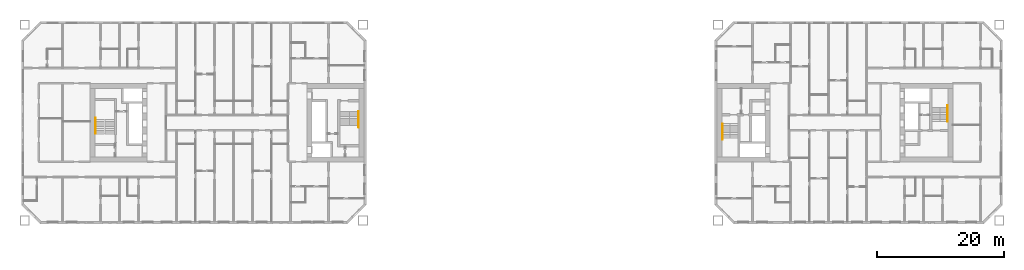
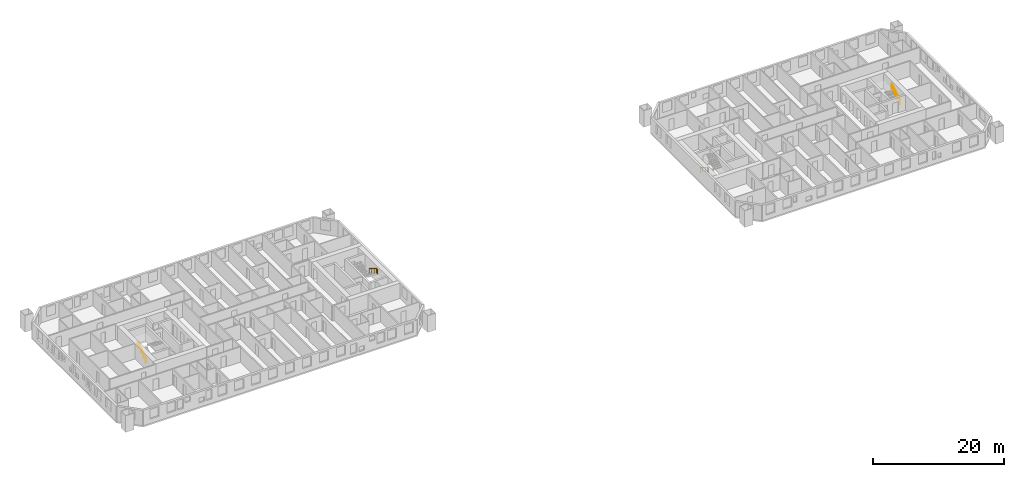
# One storey, part 17 of 17: 4 railings.
"""IFC4 building model written with IfcOpenShell, lengths in metres."""

from ifc_helpers import new_model, si_unit, direction, frame, origin, origin_2d, place, context, subcontext, project, spatial, circle, extrude, material, type_object, element, save


model = new_model("IFC4")

# Units and contexts
model_context = context("Model", 3, precision=1e-05, world=origin(), true_north=direction((0.0, 1.0)))
body_context = subcontext(model_context, "Body", "Model", "MODEL_VIEW")
ifc_project = project(units=[si_unit("LENGTHUNIT", "METRE"), si_unit("AREAUNIT", "SQUARE_METRE"), si_unit("VOLUMEUNIT", "CUBIC_METRE"), si_unit("PLANEANGLEUNIT", "RADIAN"), si_unit("MASSUNIT", "GRAM", prefix="KILO")], contexts=[model_context])

# Site, building, storey
site_placement = place(None, origin())
site = spatial("IfcSite", under=ifc_project, at=site_placement, CompositionType="ELEMENT")
building_placement = place(site_placement, origin())
building = spatial("IfcBuilding", under=site, at=building_placement, Name="Tuart Gate Housing", CompositionType="ELEMENT")
storey_placement = place(building_placement, frame((0.0, 0.0, 50.5)))
storey = spatial("IfcBuildingStorey", under=building, at=storey_placement, Name="L13", CompositionType="ELEMENT", Elevation=50.5)

# Railings
ifc_material = material(Name="Stainless steel", Category="steel")
railing_type = type_object("IfcRailingType", Name="Stair handrail 900", PredefinedType="HANDRAIL", material=ifc_material)
railing_1_placement = place(storey_placement, frame((74.780029296875, 71.77490234375, 0.172119140625)))
element("IfcRailing", 1, at=railing_1_placement, inside=storey, type_object=railing_type, Name="Stair handrail SA1.1", PredefinedType="HANDRAIL", context=body_context, shape_type="SweptSolid", body=[
    extrude(circle(Radius=0.02392578125, at=origin_2d()), frame((0.0, 0.0, 0.8759765625), z_axis=(0.0, -0.851747552033, 0.523952390591), x_axis=(1.0, 0.0, 0.0)), (0.0, 0.0, 1.0), 2.6298828125),
    extrude(circle(Radius=0.02392578125, at=origin_2d()), frame((0.0, -2.239990234375, 2.25390625), z_axis=(0.0, -1.0, 0.0), x_axis=(1.0, 0.0, 0.0)), (0.0, 0.0, 1.0), 0.2998046875),
    extrude(circle(Radius=0.02099609375, at=origin_2d()), origin(), (0.0, 0.0, 1.0), 0.851806640625),
    extrude(circle(Radius=0.02099609375, at=origin_2d()), frame((0.0, -0.74658203125, 0.459228515625)), (0.0, 0.0, 1.0), 0.851806640625),
    extrude(circle(Radius=0.02099609375, at=origin_2d()), frame((0.0, -1.493408203125, 0.918701171875)), (0.0, 0.0, 1.0), 0.851806640625),
    extrude(circle(Radius=0.02099609375, at=origin_2d()), frame((0.0, -2.239990234375, 1.3779296875)), (0.0, 0.0, 1.0), 0.851806640625),
    extrude(circle(Radius=0.02099609375, at=origin_2d()), frame((0.0, -2.539794921875, 1.3779296875)), (0.0, 0.0, 1.0), 0.851806640625),
])
railing_2_placement = place(storey_placement, frame((33.219970703125, 68.22509765625, 0.172119140625)))
element("IfcRailing", 2, at=railing_2_placement, inside=storey, type_object=railing_type, Name="Stair handrail SA2.1", PredefinedType="HANDRAIL", context=body_context, shape_type="SweptSolid", body=[
    extrude(circle(Radius=0.02392578125, at=origin_2d()), frame((0.0, 0.0, 0.8759765625), z_axis=(0.0, 0.851747552033, 0.523952390591), x_axis=(-1.0, 0.0, 0.0)), (0.0, 0.0, 1.0), 2.6298828125),
    extrude(circle(Radius=0.02392578125, at=origin_2d()), frame((0.0, 2.239990234375, 2.25390625), z_axis=(0.0, 1.0, 0.0), x_axis=(-1.0, 0.0, 0.0)), (0.0, 0.0, 1.0), 0.2998046875),
    extrude(circle(Radius=0.02099609375, at=origin_2d()), origin(), (0.0, 0.0, 1.0), 0.851806640625),
    extrude(circle(Radius=0.02099609375, at=origin_2d()), frame((0.0, 0.74658203125, 0.459228515625)), (0.0, 0.0, 1.0), 0.851806640625),
    extrude(circle(Radius=0.02099609375, at=origin_2d()), frame((0.0, 1.493408203125, 0.918701171875)), (0.0, 0.0, 1.0), 0.851806640625),
    extrude(circle(Radius=0.02099609375, at=origin_2d()), frame((0.0, 2.239990234375, 1.3779296875)), (0.0, 0.0, 1.0), 0.851806640625),
    extrude(circle(Radius=0.02099609375, at=origin_2d()), frame((0.0, 2.539794921875, 1.3779296875)), (0.0, 0.0, 1.0), 0.851806640625),
])
railing_3_placement = place(storey_placement, frame((132.219970703125, 69.824951171875, 0.172119140625)))
element("IfcRailing", 3, at=railing_3_placement, inside=storey, type_object=railing_type, Name="Stair handrail SB1.1", PredefinedType="HANDRAIL", context=body_context, shape_type="SweptSolid", body=[
    extrude(circle(Radius=0.02392578125, at=origin_2d()), frame((0.0, 0.0, 0.8759765625), z_axis=(0.0, -0.851747552033, 0.523952390591), x_axis=(1.0, 0.0, 0.0)), (0.0, 0.0, 1.0), 2.6298828125),
    extrude(circle(Radius=0.02392578125, at=origin_2d()), frame((0.0, -2.239990234375, 2.25390625), z_axis=(0.0, -1.0, 0.0), x_axis=(1.0, 0.0, 0.0)), (0.0, 0.0, 1.0), 0.300048828125),
    extrude(circle(Radius=0.02099609375, at=origin_2d()), origin(), (0.0, 0.0, 1.0), 0.851806640625),
    extrude(circle(Radius=0.02099609375, at=origin_2d()), frame((0.0, -0.74658203125, 0.459228515625)), (0.0, 0.0, 1.0), 0.851806640625),
    extrude(circle(Radius=0.02099609375, at=origin_2d()), frame((0.0, -1.493408203125, 0.918701171875)), (0.0, 0.0, 1.0), 0.851806640625),
    extrude(circle(Radius=0.02099609375, at=origin_2d()), frame((0.0, -2.239990234375, 1.3779296875)), (0.0, 0.0, 1.0), 0.851806640625),
    extrude(circle(Radius=0.02099609375, at=origin_2d()), frame((0.0, -2.5400390625, 1.3779296875)), (0.0, 0.0, 1.0), 0.851806640625),
])
railing_4_placement = place(storey_placement, frame((167.780029296875, 70.175048828125, 0.172119140625)))
element("IfcRailing", 4, at=railing_4_placement, inside=storey, type_object=railing_type, Name="Stair handrail SB2.1", PredefinedType="HANDRAIL", context=body_context, shape_type="SweptSolid", body=[
    extrude(circle(Radius=0.02392578125, at=origin_2d()), frame((0.0, 0.0, 0.8759765625), z_axis=(0.0, 0.851747552033, 0.523952390591), x_axis=(-1.0, 0.0, 0.0)), (0.0, 0.0, 1.0), 2.6298828125),
    extrude(circle(Radius=0.02392578125, at=origin_2d()), frame((0.0, 2.239990234375, 2.25390625), z_axis=(0.0, 1.0, 0.0), x_axis=(-1.0, 0.0, 0.0)), (0.0, 0.0, 1.0), 0.300048828125),
    extrude(circle(Radius=0.02099609375, at=origin_2d()), origin(), (0.0, 0.0, 1.0), 0.851806640625),
    extrude(circle(Radius=0.02099609375, at=origin_2d()), frame((0.0, 0.74658203125, 0.459228515625)), (0.0, 0.0, 1.0), 0.851806640625),
    extrude(circle(Radius=0.02099609375, at=origin_2d()), frame((0.0, 1.493408203125, 0.918701171875)), (0.0, 0.0, 1.0), 0.851806640625),
    extrude(circle(Radius=0.02099609375, at=origin_2d()), frame((0.0, 2.239990234375, 1.3779296875)), (0.0, 0.0, 1.0), 0.851806640625),
    extrude(circle(Radius=0.02099609375, at=origin_2d()), frame((0.0, 2.5400390625, 1.3779296875)), (0.0, 0.0, 1.0), 0.851806640625),
])

save(model, "model.ifc")
